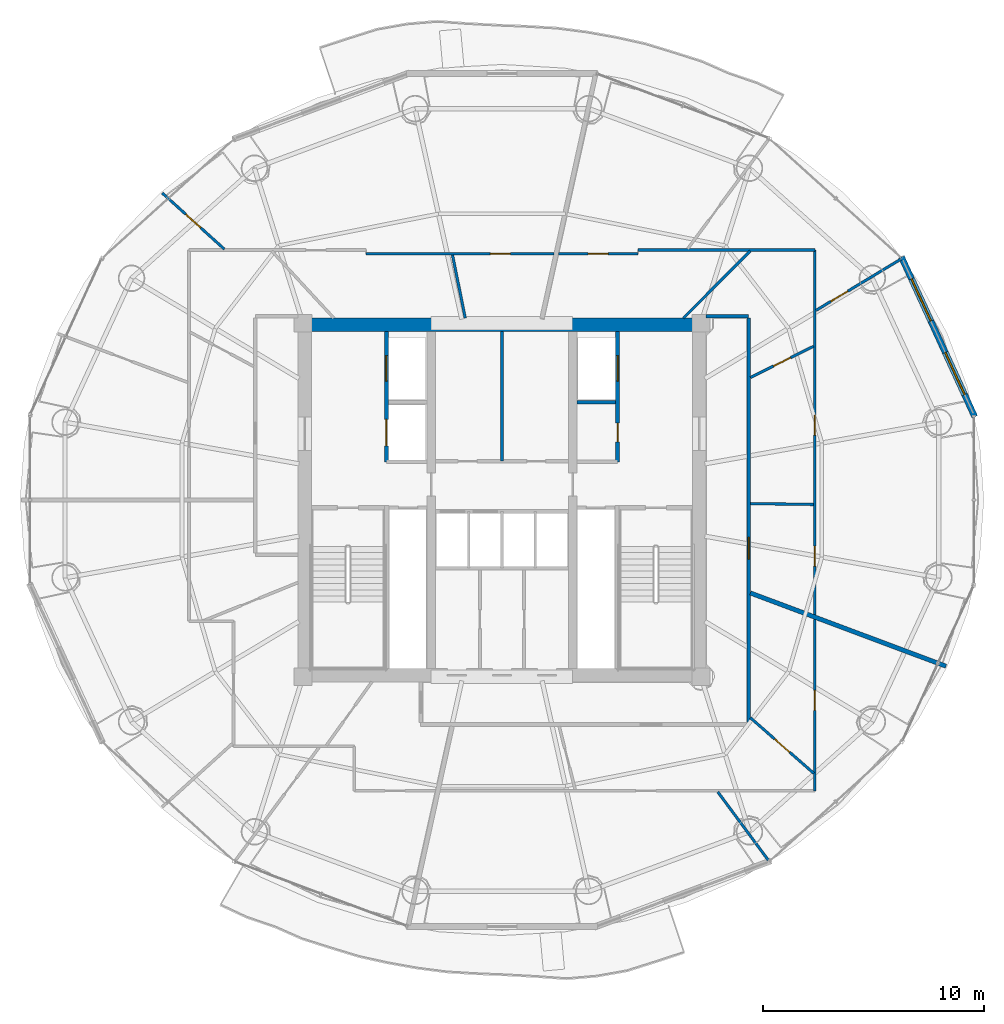
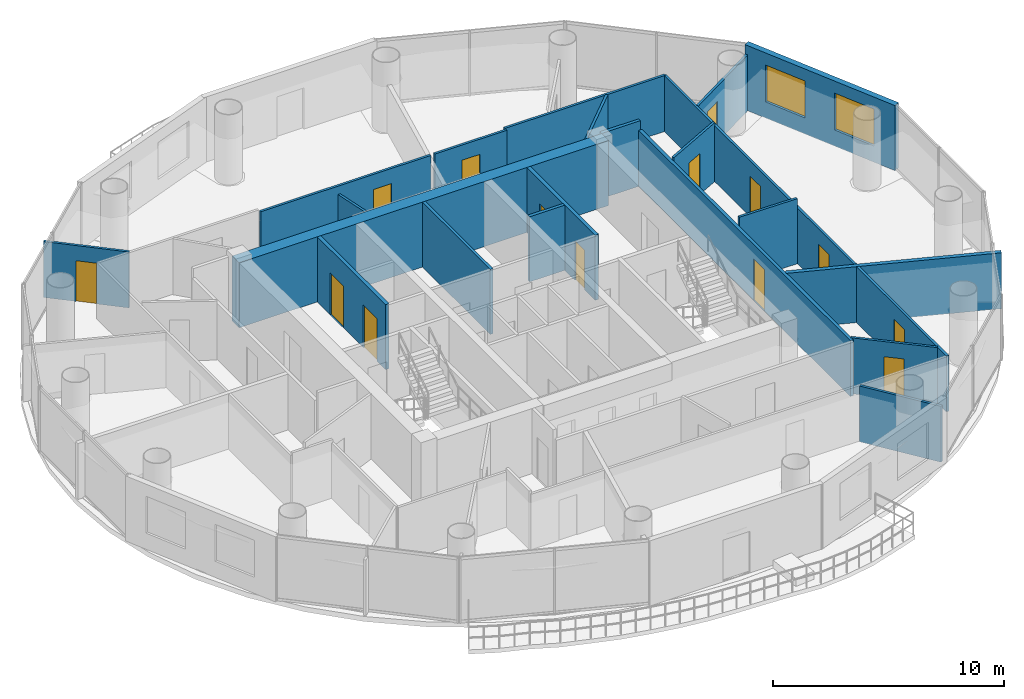
# One storey, part 22 of 26: 22 walls, 14 doors, 2 windows, 16 openings.
"""IFC4 building model written with IfcOpenShell, lengths in metres."""

from ifc_helpers import new_model, si_unit, direction, frame, frame_2d, origin, place, context, subcontext, project, spatial, rectangle, extrude, source, transform, mapped, material, layer, layer_set, type_object, element, fill, save


model = new_model("IFC4")

# Units and contexts
model_context = context("Model", 3, precision=1e-05, world=origin(), true_north=direction((-0.2419218956, 0.970295726276)))
body_context = subcontext(model_context, "Body", "Model", "MODEL_VIEW")
ifc_project = project(units=[si_unit("LENGTHUNIT", "METRE"), si_unit("AREAUNIT", "SQUARE_METRE"), si_unit("VOLUMEUNIT", "CUBIC_METRE"), si_unit("PLANEANGLEUNIT", "RADIAN"), si_unit("MASSUNIT", "GRAM", prefix="KILO")], contexts=[model_context])

# Site, building, storey
site_placement = place(None, origin())
site = spatial("IfcSite", under=ifc_project, at=site_placement, CompositionType="ELEMENT")
building_placement = place(site_placement, origin())
building = spatial("IfcBuilding", under=site, at=building_placement, Name="Cobrevalo Terracotta Tower", CompositionType="ELEMENT")
storey_placement = place(building_placement, frame((0.0, 0.0, 235.60009765625)))
storey = spatial("IfcBuildingStorey", under=building, at=storey_placement, Name="L62", CompositionType="ELEMENT", Elevation=235.60009765625)

# Walls
ifc_material_1 = material(Name="Concrete C55", Category="concrete")
ifc_layer_1 = layer(ifc_material_1, 0.60009765625)
ifc_layer_set_1 = layer_set([ifc_layer_1], Name="Concrete C55")
wall_type_1 = type_object("IfcWallType", Name="Core shear wall 600 mm Concrete C55", PredefinedType="SHEAR", material=ifc_layer_set_1)
wall_1_placement = place(storey_placement, frame((28.77490234375, 34.72509765625, 0.0), z_axis=(0.0, 0.0, 1.0), x_axis=(1.0, 0.0, 0.0)))
element("IfcWall", 1, at=wall_1_placement, inside=storey, type_object=wall_type_1, Name="L62 north core shear wall", PredefinedType="SHEAR", context=body_context, shape_type="SweptSolid", body=[
    extrude(rectangle(XDim=18.4501953125, YDim=0.60009765625, at=frame_2d((9.22509765625, 0.0))), origin(), (0.0, 0.0, 1.0), 3.434814453125),
])
ifc_material_2 = material(Name="Gypsum board on steel stud", Category="steel")
ifc_layer_2 = layer(ifc_material_2, 0.159912109375)
ifc_layer_set_2 = layer_set([ifc_layer_2], Name="Gypsum board on steel stud")
wall_type_2 = type_object("IfcWallType", Name="Fire-rated corridor acoustic partition wall 160 mm", PredefinedType="PARTITIONING", material=ifc_layer_set_2)
wall_2_placement = place(storey_placement, frame((41.389892578125, 31.219970703125, 0.0), z_axis=(0.0, 0.0, 1.0), x_axis=(1.0, 0.0, 0.0)))
element("IfcWall", 2, at=wall_2_placement, inside=storey, type_object=wall_type_2, Name="L62 interior partition IW-L62-FF2-M", PredefinedType="PARTITIONING", context=body_context, shape_type="SweptSolid", body=[
    extrude(rectangle(XDim=1.75, YDim=0.159912109375, at=frame_2d((0.875, 0.0))), origin(), (0.0, 0.0, 1.0), 3.434814453125),
])

# Wall, opening, door
wall_3_placement = place(storey_placement, frame((49.155029296875, 16.72509765625, 0.0), z_axis=(0.0, 0.0, 1.0), x_axis=(0.0, 1.0, 0.0)))
wall_3 = element("IfcWall", 3, at=wall_3_placement, inside=storey, type_object=wall_type_2, Name="L62 interior partition IW-L62-COR-E", PredefinedType="PARTITIONING", context=body_context, shape_type="SweptSolid", body=[
    extrude(rectangle(XDim=18.2998046875, YDim=0.159912109375, at=frame_2d((9.14990234375, 0.0))), origin(), (0.0, 0.0, 1.0), 2.950927734375),
])
opening_1_placement = place(wall_3_placement, frame((7.4013671875, 0.0, 0.0)))
opening_1 = element("IfcOpeningElement", 4, at=opening_1_placement, cuts=wall_3, Name="Opening ID-05", PredefinedType="OPENING", context=body_context, shape_type="SweptSolid", body=[
    extrude(rectangle(XDim=0.97998046875, YDim=2.199951171875, at=frame_2d((0.489990234375, 1.10009765625))), frame((0.0, 0.08984375, 0.0), z_axis=(0.0, -1.0, 0.0), x_axis=(1.0, 0.0, 0.0)), (0.0, 0.0, 1.0), 0.179931640625),
])
ifc_material_3 = material(Name="Solid hardwood timber", Category="wood")
door_type_1 = type_object("IfcDoorType", Name="Residence entrance fire-rated acoustic timber door 980x2200 EI 60", OperationType="NOTDEFINED", PredefinedType="DOOR", material=ifc_material_3)
shared_shape_1 = source(origin(), body_context, "Body", "SweptSolid", [
    extrude(rectangle(XDim=0.97998046875, YDim=2.199951171875, at=frame_2d((0.489990234375, 1.10009765625))), frame((0.0, 0.02490234375, 0.0), z_axis=(0.0, -1.0, 0.0), x_axis=(1.0, 0.0, 0.0)), (0.0, 0.0, 1.0), 0.050048828125),
])
door_1_placement = place(opening_1_placement, frame((0.97998046875, 0.0, 0.0), z_axis=(0.0, 0.0, 1.0), x_axis=(-1.0, 0.0, 0.0)))
door_1 = element("IfcDoor", 5, at=door_1_placement, inside=storey, type_object=door_type_1, Name="Flat L62A fire-rated apartment entrance door", OperationType="SINGLE_SWING_RIGHT", OverallHeight=2.199951171875, OverallWidth=0.97998046875, PredefinedType="DOOR", context=body_context, shape_type="MappedRepresentation", body=[
    mapped(shared_shape_1, transform((0.0, 0.0, 0.0), scale=1.0)),
])
fill(opening_1, door_1)

# Wall
wall_4_placement = place(storey_placement, frame((47.22509765625, 35.10498046875, 0.0), z_axis=(0.0, 0.0, 1.0), x_axis=(1.0, 0.0, 0.0)))
element("IfcWall", 6, at=wall_4_placement, inside=storey, type_object=wall_type_2, Name="L62 interior partition IW-L62-COR-EN-CAP", PredefinedType="PARTITIONING", context=body_context, shape_type="SweptSolid", body=[
    extrude(rectangle(XDim=1.929931640625, YDim=0.159912109375, at=frame_2d((0.96484375, 0.0))), origin(), (0.0, 0.0, 1.0), 3.434814453125),
])

# Wall, openings, doors
ifc_layer_3 = layer(ifc_material_2, 0.179931640625)
ifc_layer_set_3 = layer_set([ifc_layer_3], Name="Gypsum board on steel stud")
wall_type_3 = type_object("IfcWallType", Name="Fire-rated shaft & lobby acoustic partition wall 180 mm", PredefinedType="PARTITIONING", material=ifc_layer_set_3)
wall_5_placement = place(storey_placement, frame((32.77001953125, 28.52001953125, 0.0), z_axis=(0.0, 0.0, 1.0), x_axis=(0.0, 1.0, 0.0)))
wall_5 = element("IfcWall", 7, at=wall_5_placement, inside=storey, type_object=wall_type_3, Name="L62 interior partition IW-L62-FF1-W", PredefinedType="PARTITIONING", context=body_context, shape_type="SweptSolid", body=[
    extrude(rectangle(XDim=5.905029296875, YDim=0.179931640625, at=frame_2d((2.95263671875, 0.0))), origin(), (0.0, 0.0, 1.0), 3.434814453125),
])
opening_2_placement = place(wall_5_placement, frame((3.655029296875, 0.0, 0.0)))
opening_2 = element("IfcOpeningElement", 8, at=opening_2_placement, cuts=wall_5, Name="Opening LD-02", PredefinedType="OPENING", context=body_context, shape_type="SweptSolid", body=[
    extrude(rectangle(XDim=1.14990234375, YDim=2.199951171875, at=frame_2d((0.574951171875, 1.10009765625))), frame((0.0, 0.10009765625, 0.0), z_axis=(0.0, -1.0, 0.0), x_axis=(1.0, 0.0, 0.0)), (0.0, 0.0, 1.0), 0.199951171875),
])
opening_3_placement = place(wall_5_placement, frame((0.72998046875, 0.0, 0.0)))
opening_3 = element("IfcOpeningElement", 9, at=opening_3_placement, cuts=wall_5, Name="Opening LD-03", PredefinedType="OPENING", context=body_context, shape_type="SweptSolid", body=[
    extrude(rectangle(XDim=1.199951171875, YDim=2.25, at=frame_2d((0.60009765625, 1.125))), frame((0.0, 0.10009765625, 0.0), z_axis=(0.0, -1.0, 0.0), x_axis=(1.0, 0.0, 0.0)), (0.0, 0.0, 1.0), 0.199951171875),
])
ifc_material_4 = material(Name="Brushed stainless steel", Category="steel")
door_type_2 = type_object("IfcDoorType", Name="Firefighting lift landing bi-parting sliding door 1150x2200 EI 120", OperationType="DOUBLE_DOOR_SLIDING", PredefinedType="DOOR", material=ifc_material_4)
shared_shape_2 = source(origin(), body_context, "Body", "SweptSolid", [
    extrude(rectangle(XDim=1.14990234375, YDim=2.199951171875, at=frame_2d((0.574951171875, 1.10009765625))), frame((0.0, 0.02490234375, 0.0), z_axis=(0.0, -1.0, 0.0), x_axis=(1.0, 0.0, 0.0)), (0.0, 0.0, 1.0), 0.050048828125),
])
door_2_placement = place(opening_2_placement, origin())
door_2 = element("IfcDoor", 10, at=door_2_placement, inside=storey, type_object=door_type_2, Name="L62 lift landing door FF-1", OperationType="DOUBLE_DOOR_SLIDING", OverallHeight=2.199951171875, OverallWidth=1.14990234375, PredefinedType="DOOR", context=body_context, shape_type="MappedRepresentation", body=[
    mapped(shared_shape_2, transform((0.0, 0.0, 0.0), scale=1.0)),
])
fill(opening_2, door_2)
door_type_3 = type_object("IfcDoorType", Name="Service lift landing bi-parting sliding door 1200x2250 EI 120", OperationType="DOUBLE_DOOR_SLIDING", PredefinedType="DOOR", material=ifc_material_4)
shared_shape_3 = source(origin(), body_context, "Body", "SweptSolid", [
    extrude(rectangle(XDim=1.199951171875, YDim=2.25, at=frame_2d((0.60009765625, 1.125))), frame((0.0, 0.02490234375, 0.0), z_axis=(0.0, -1.0, 0.0), x_axis=(1.0, 0.0, 0.0)), (0.0, 0.0, 1.0), 0.050048828125),
])
door_3_placement = place(opening_3_placement, origin())
door_3 = element("IfcDoor", 11, at=door_3_placement, inside=storey, type_object=door_type_3, Name="L62 lift landing door SV-1", OperationType="DOUBLE_DOOR_SLIDING", OverallHeight=2.25, OverallWidth=1.199951171875, PredefinedType="DOOR", context=body_context, shape_type="MappedRepresentation", body=[
    mapped(shared_shape_3, transform((0.0, 0.0, 0.0), scale=1.0)),
])
fill(opening_3, door_3)

wall_6_placement = place(storey_placement, frame((43.22998046875, 28.52001953125, 0.0), z_axis=(0.0, 0.0, 1.0), x_axis=(0.0, 1.0, 0.0)))
wall_6 = element("IfcWall", 12, at=wall_6_placement, inside=storey, type_object=wall_type_3, Name="L62 interior partition IW-L62-FF2-E", PredefinedType="PARTITIONING", context=body_context, shape_type="SweptSolid", body=[
    extrude(rectangle(XDim=5.905029296875, YDim=0.179931640625, at=frame_2d((2.95263671875, 0.0))), origin(), (0.0, 0.0, 1.0), 3.434814453125),
])
opening_4_placement = place(wall_6_placement, frame((0.905029296875, 0.0, 0.0)))
opening_4 = element("IfcOpeningElement", 13, at=opening_4_placement, cuts=wall_6, Name="Opening ID-22", PredefinedType="OPENING", context=body_context, shape_type="SweptSolid", body=[
    extrude(rectangle(XDim=0.85009765625, YDim=2.10009765625, at=frame_2d((0.425048828125, 1.050048828125))), frame((0.0, 0.10009765625, 0.0), z_axis=(0.0, -1.0, 0.0), x_axis=(1.0, 0.0, 0.0)), (0.0, 0.0, 1.0), 0.199951171875),
])
opening_5_placement = place(wall_6_placement, frame((3.655029296875, 0.0, 0.0)))
opening_5 = element("IfcOpeningElement", 14, at=opening_5_placement, cuts=wall_6, Name="Opening LD-02", PredefinedType="OPENING", context=body_context, shape_type="SweptSolid", body=[
    extrude(rectangle(XDim=1.14990234375, YDim=2.199951171875, at=frame_2d((0.574951171875, 1.10009765625))), frame((0.0, 0.10009765625, 0.0), z_axis=(0.0, -1.0, 0.0), x_axis=(1.0, 0.0, 0.0)), (0.0, 0.0, 1.0), 0.199951171875),
])
ifc_material_5 = material(Name="Powder-coated steel", Category="steel")
door_type_4 = type_object("IfcDoorType", Name="Riser shaft & meter closet fire access door 850x2100 EI 60", OperationType="NOTDEFINED", PredefinedType="DOOR", material=ifc_material_5)
shared_shape_4 = source(origin(), body_context, "Body", "SweptSolid", [
    extrude(rectangle(XDim=0.85009765625, YDim=2.10009765625, at=frame_2d((0.425048828125, 1.050048828125))), frame((0.0, 0.02490234375, 0.0), z_axis=(0.0, -1.0, 0.0), x_axis=(1.0, 0.0, 0.0)), (0.0, 0.0, 1.0), 0.050048828125),
])
door_4_placement = place(opening_4_placement, frame((0.85009765625, 0.0, 0.0), z_axis=(0.0, 0.0, 1.0), x_axis=(-1.0, 0.0, 0.0)))
door_4 = element("IfcDoor", 15, at=door_4_placement, inside=storey, type_object=door_type_4, Name="L62 housekeeping store door", OperationType="SINGLE_SWING_RIGHT", OverallHeight=2.10009765625, OverallWidth=0.85009765625, PredefinedType="DOOR", context=body_context, shape_type="MappedRepresentation", body=[
    mapped(shared_shape_4, transform((0.0, 0.0, 0.0), scale=1.0)),
])
fill(opening_4, door_4)
door_5_placement = place(opening_5_placement, origin())
door_5 = element("IfcDoor", 16, at=door_5_placement, inside=storey, type_object=door_type_2, Name="L62 lift landing door FF-2", OperationType="DOUBLE_DOOR_SLIDING", OverallHeight=2.199951171875, OverallWidth=1.14990234375, PredefinedType="DOOR", context=body_context, shape_type="MappedRepresentation", body=[
    mapped(shared_shape_2, transform((0.0, 0.0, 0.0), scale=1.0)),
])
fill(opening_5, door_5)

# Wall
ifc_material_6 = material(Name="Autoclaved aerated concrete block", Category="concrete")
ifc_layer_4 = layer(ifc_material_6, 0.199951171875)
ifc_layer_set_4 = layer_set([ifc_layer_4], Name="Autoclaved aerated concrete block")
wall_type_4 = type_object("IfcWallType", Name="Fire-rated stair, shaft & demising masonry wall 200 mm", PredefinedType="PARTITIONING", material=ifc_layer_set_4)
wall_7_placement = place(storey_placement, frame((49.23681640625, 22.593994140625, 0.0), z_axis=(0.0, 0.0, 1.0), x_axis=(0.936534016635, -0.350576718687, 0.0)))
element("IfcWall", 17, at=wall_7_placement, inside=storey, type_object=wall_type_4, Name="L62 interior partition IW-L62-DEM-1", PredefinedType="PARTITIONING", context=body_context, shape_type="SweptSolid", body=[
    extrude(rectangle(XDim=9.446044921875, YDim=0.199951171875, at=frame_2d((4.72314453125, 0.0))), origin(), (0.0, 0.0, 1.0), 2.950927734375),
])

# Wall, openings, windows
ifc_layer_5 = layer(ifc_material_6, 0.280029296875)
ifc_layer_set_5 = layer_set([ifc_layer_5], Name="Autoclaved aerated concrete block")
wall_type_5 = type_object("IfcWallType", Name="Insulated tower spandrel & pier wall 280 mm with terracotta rainscreen", PredefinedType="SOLIDWALL", material=ifc_layer_set_5)
wall_8_placement = place(storey_placement, frame((59.385009765625, 30.564697265625, 0.0), z_axis=(0.0, 0.0, 1.0), x_axis=(-0.416717018135, 0.909036262641, 0.0)))
wall_8 = element("IfcWall", 18, at=wall_8_placement, inside=storey, type_object=wall_type_5, Name="L62 terracotta rainscreen pier wall S01", PredefinedType="SOLIDWALL", context=body_context, shape_type="SweptSolid", body=[
    extrude(rectangle(XDim=7.960205078125, YDim=0.280029296875, at=frame_2d((3.97998046875, 0.0))), origin(), (0.0, 0.0, 1.0), 3.434814453125),
])
opening_6_placement = place(wall_8_placement, frame((1.099365234375, 0.0, 0.85009765625)))
opening_6 = element("IfcOpeningElement", 19, at=opening_6_placement, cuts=wall_8, Name="Opening WN-10", PredefinedType="OPENING", context=body_context, shape_type="SweptSolid", body=[
    extrude(rectangle(XDim=2.10009765625, YDim=1.949951171875, at=frame_2d((1.050048828125, 0.97509765625))), frame((0.0, 0.14990234375, 0.0), z_axis=(0.0, -1.0, 0.0), x_axis=(1.0, 0.0, 0.0)), (0.0, 0.0, 1.0), 0.300048828125),
])
opening_7_placement = place(wall_8_placement, frame((4.760986328125, 0.0, 0.85009765625)))
opening_7 = element("IfcOpeningElement", 20, at=opening_7_placement, cuts=wall_8, Name="Opening WN-10", PredefinedType="OPENING", context=body_context, shape_type="SweptSolid", body=[
    extrude(rectangle(XDim=2.10009765625, YDim=1.949951171875, at=frame_2d((1.050048828125, 0.97509765625))), frame((0.0, 0.14990234375, 0.0), z_axis=(0.0, -1.0, 0.0), x_axis=(1.0, 0.0, 0.0)), (0.0, 0.0, 1.0), 0.300048828125),
])
ifc_material_7 = material(Name="Solar-control low-E double glazing", Category="glass")
window_type = type_object("IfcWindowType", Name="Wide panoramic low-E aluminium window 2100x1950", PartitioningType="SINGLE_PANEL", PredefinedType="WINDOW", material=ifc_material_7)
shared_shape_5 = source(origin(), body_context, "Body", "SweptSolid", [
    extrude(rectangle(XDim=2.10009765625, YDim=1.949951171875, at=frame_2d((1.050048828125, 0.97509765625))), frame((0.0, 0.030029296875, 0.0), z_axis=(0.0, -1.0, 0.0), x_axis=(1.0, 0.0, 0.0)), (0.0, 0.0, 1.0), 0.06005859375),
])
window_1_placement = place(opening_6_placement, origin())
window_1 = element("IfcWindow", 21, at=window_1_placement, inside=storey, type_object=window_type, Name="L62 suite window S01A", OverallHeight=1.949951171875, OverallWidth=2.10009765625, PartitioningType="SINGLE_PANEL", PredefinedType="WINDOW", context=body_context, shape_type="MappedRepresentation", body=[
    mapped(shared_shape_5, transform((0.0, 0.0, 0.0), scale=1.0)),
])
fill(opening_6, window_1)
window_2_placement = place(opening_7_placement, origin())
window_2 = element("IfcWindow", 22, at=window_2_placement, inside=storey, type_object=window_type, Name="L62 suite window S01B", OverallHeight=1.949951171875, OverallWidth=2.10009765625, PartitioningType="SINGLE_PANEL", PredefinedType="WINDOW", context=body_context, shape_type="MappedRepresentation", body=[
    mapped(shared_shape_5, transform((0.0, 0.0, 0.0), scale=1.0)),
])
fill(opening_7, window_2)

# Wall
ifc_layer_6 = layer(ifc_material_6, 0.139892578125)
ifc_layer_set_6 = layer_set([ifc_layer_6], Name="Autoclaved aerated concrete block")
wall_type_6 = type_object("IfcWallType", Name="Moisture-resistant wet-room & core service partition 140 mm", PredefinedType="PARTITIONING", material=ifc_layer_set_6)
wall_9_placement = place(storey_placement, frame((38.0, 28.56005859375, 0.0), z_axis=(0.0, 0.0, 1.0), x_axis=(0.0, 1.0, 0.0)))
element("IfcWall", 23, at=wall_9_placement, inside=storey, type_object=wall_type_6, Name="L62 interior partition IW-L62-KVN-1", PredefinedType="PARTITIONING", context=body_context, shape_type="SweptSolid", body=[
    extrude(rectangle(XDim=5.864990234375, YDim=0.139892578125, at=frame_2d((2.9326171875, 0.0))), origin(), (0.0, 0.0, 1.0), 3.434814453125),
])

# Wall, opening, door
ifc_layer_7 = layer(ifc_material_2, 0.1201171875)
ifc_layer_set_7 = layer_set([ifc_layer_7], Name="Gypsum board on steel stud")
wall_type_7 = type_object("IfcWallType", Name="Residential internal acoustic stud partition 120 mm", PredefinedType="PARTITIONING", material=ifc_layer_set_7)
wall_10_placement = place(storey_placement, frame((40.55517578125, 37.945068359375, 0.0), z_axis=(0.0, 0.0, 1.0), x_axis=(1.0, 0.0, 0.0)))
wall_10 = element("IfcWall", 24, at=wall_10_placement, inside=storey, type_object=wall_type_7, Name="L62 interior partition IW-L62-U1-RING0_0", PredefinedType="PARTITIONING", context=body_context, shape_type="SweptSolid", body=[
    extrude(rectangle(XDim=3.58984375, YDim=0.1201171875, at=frame_2d((1.794921875, 0.0))), origin(), (0.0, 0.0, 1.0), 2.950927734375),
])
opening_8_placement = place(wall_10_placement, frame((1.344970703125, 0.0, 0.0)))
opening_8 = element("IfcOpeningElement", 25, at=opening_8_placement, cuts=wall_10, Name="Opening ID-12", PredefinedType="OPENING", context=body_context, shape_type="SweptSolid", body=[
    extrude(rectangle(XDim=0.89990234375, YDim=2.14990234375, at=frame_2d((0.449951171875, 1.074951171875))), frame((0.0, 0.070068359375, 0.0), z_axis=(0.0, -1.0, 0.0), x_axis=(1.0, 0.0, 0.0)), (0.0, 0.0, 1.0), 0.14013671875),
])
ifc_material_8 = material(Name="Engineered timber", Category="wood")
door_type_5 = type_object("IfcDoorType", Name="Internal residence & suite timber door 900x2150", OperationType="NOTDEFINED", PredefinedType="DOOR", material=ifc_material_8)
shared_shape_6 = source(origin(), body_context, "Body", "SweptSolid", [
    extrude(rectangle(XDim=0.89990234375, YDim=2.14990234375, at=frame_2d((0.449951171875, 1.074951171875))), frame((0.0, 0.02490234375, 0.0), z_axis=(0.0, -1.0, 0.0), x_axis=(1.0, 0.0, 0.0)), (0.0, 0.0, 1.0), 0.050048828125),
])
door_6_placement = place(opening_8_placement, frame((0.89990234375, 0.0, 0.0), z_axis=(0.0, 0.0, 1.0), x_axis=(-1.0, 0.0, 0.0)))
door_6 = element("IfcDoor", 26, at=door_6_placement, inside=storey, type_object=door_type_5, Name="Flat L62A Reception Hallway internal door", OperationType="SINGLE_SWING_RIGHT", OverallHeight=2.14990234375, OverallWidth=0.89990234375, PredefinedType="DOOR", context=body_context, shape_type="MappedRepresentation", body=[
    mapped(shared_shape_6, transform((0.0, 0.0, 0.0), scale=1.0)),
])
fill(opening_8, door_6)

# Wall
wall_11_placement = place(storey_placement, frame((44.14501953125, 38.10498046875, 0.0), z_axis=(0.0, 0.0, 1.0), x_axis=(1.0, 0.0, 0.0)))
element("IfcWall", 27, at=wall_11_placement, inside=storey, type_object=wall_type_7, Name="L62 interior partition IW-L62-U1-RING2_0", PredefinedType="PARTITIONING", context=body_context, shape_type="SweptSolid", body=[
    extrude(rectangle(XDim=8.010009765625, YDim=0.1201171875, at=frame_2d((4.0048828125, 0.0))), origin(), (0.0, 0.0, 1.0), 2.950927734375),
])

# Wall, openings, doors
wall_12_placement = place(storey_placement, frame((52.155029296875, 38.10498046875, 0.0), z_axis=(0.0, 0.0, 1.0), x_axis=(0.0, -1.0, 0.0)))
wall_12 = element("IfcWall", 28, at=wall_12_placement, inside=storey, type_object=wall_type_7, Name="L62 interior partition IW-L62-U1-RING3_0", PredefinedType="PARTITIONING", context=body_context, shape_type="SweptSolid", body=[
    extrude(rectangle(XDim=16.50146484375, YDim=0.1201171875, at=frame_2d((8.250732421875, 0.0))), origin(), (0.0, 0.0, 1.0), 2.950927734375),
])
opening_9_placement = place(wall_12_placement, frame((13.394775390625, 0.0, 0.0)))
opening_9 = element("IfcOpeningElement", 29, at=opening_9_placement, cuts=wall_12, Name="Opening ID-12", PredefinedType="OPENING", context=body_context, shape_type="SweptSolid", body=[
    extrude(rectangle(XDim=0.89990234375, YDim=2.14990234375, at=frame_2d((0.449951171875, 1.074951171875))), frame((0.0, 0.070068359375, 0.0), z_axis=(0.0, -1.0, 0.0), x_axis=(1.0, 0.0, 0.0)), (0.0, 0.0, 1.0), 0.14013671875),
])
opening_10_placement = place(wall_12_placement, frame((7.466552734375, 0.0, 0.0)))
opening_10 = element("IfcOpeningElement", 30, at=opening_10_placement, cuts=wall_12, Name="Opening ID-12", PredefinedType="OPENING", context=body_context, shape_type="SweptSolid", body=[
    extrude(rectangle(XDim=0.89990234375, YDim=2.14990234375, at=frame_2d((0.449951171875, 1.074951171875))), frame((0.0, 0.070068359375, 0.0), z_axis=(0.0, -1.0, 0.0), x_axis=(1.0, 0.0, 0.0)), (0.0, 0.0, 1.0), 0.14013671875),
])
door_7_placement = place(opening_9_placement, origin())
door_7 = element("IfcDoor", 31, at=door_7_placement, inside=storey, type_object=door_type_5, Name="Flat L62A Penthouse Living and Dining Room internal door", OperationType="SINGLE_SWING_LEFT", OverallHeight=2.14990234375, OverallWidth=0.89990234375, PredefinedType="DOOR", context=body_context, shape_type="MappedRepresentation", body=[
    mapped(shared_shape_6, transform((0.0, 0.0, 0.0), scale=1.0)),
])
fill(opening_9, door_7)
door_8_placement = place(opening_10_placement, frame((0.89990234375, 0.0, 0.0), z_axis=(0.0, 0.0, 1.0), x_axis=(-1.0, 0.0, 0.0)))
door_8 = element("IfcDoor", 32, at=door_8_placement, inside=storey, type_object=door_type_5, Name="Flat L62A Kitchen internal door", OperationType="SINGLE_SWING_RIGHT", OverallHeight=2.14990234375, OverallWidth=0.89990234375, PredefinedType="DOOR", context=body_context, shape_type="MappedRepresentation", body=[
    mapped(shared_shape_6, transform((0.0, 0.0, 0.0), scale=1.0)),
])
fill(opening_10, door_8)

# Wall, opening, door
wall_13_placement = place(storey_placement, frame((52.2080078125, 35.37890625, 0.0), z_axis=(0.0, 0.0, 1.0), x_axis=(0.856039372964, 0.516910622774, 0.0)))
wall_13 = element("IfcWall", 33, at=wall_13_placement, inside=storey, type_object=wall_type_7, Name="L62 interior partition IW-L62-U1-ORAD1", PredefinedType="PARTITIONING", context=body_context, shape_type="SweptSolid", body=[
    extrude(rectangle(XDim=4.471435546875, YDim=0.1201171875, at=frame_2d((2.23583984375, 0.0))), origin(), (0.0, 0.0, 1.0), 2.950927734375),
])
opening_11_placement = place(wall_13_placement, frame((0.778564453125, 0.0, 0.0)))
opening_11 = element("IfcOpeningElement", 34, at=opening_11_placement, cuts=wall_13, Name="Opening ID-12", PredefinedType="OPENING", context=body_context, shape_type="SweptSolid", body=[
    extrude(rectangle(XDim=0.89990234375, YDim=2.14990234375, at=frame_2d((0.449951171875, 1.074951171875))), frame((0.0, 0.070068359375, 0.0), z_axis=(0.0, -1.0, 0.0), x_axis=(1.0, 0.0, 0.0)), (0.0, 0.0, 1.0), 0.14013671875),
])
door_9_placement = place(opening_11_placement, origin())
door_9 = element("IfcDoor", 35, at=door_9_placement, inside=storey, type_object=door_type_5, Name="Flat L62A Master Bedroom internal door", OperationType="SINGLE_SWING_LEFT", OverallHeight=2.14990234375, OverallWidth=0.89990234375, PredefinedType="DOOR", context=body_context, shape_type="MappedRepresentation", body=[
    mapped(shared_shape_6, transform((0.0, 0.0, 0.0), scale=1.0)),
])
fill(opening_11, door_9)

# Wall
wall_14_placement = place(storey_placement, frame((49.237060546875, 26.638671875, 0.0), z_axis=(0.0, 0.0, 1.0), x_axis=(0.999896890624, -0.014359948506, 0.0)))
element("IfcWall", 36, at=wall_14_placement, inside=storey, type_object=wall_type_7, Name="L62 interior partition IW-L62-U1-IRAD1", PredefinedType="PARTITIONING", context=body_context, shape_type="SweptSolid", body=[
    extrude(rectangle(XDim=2.856201171875, YDim=0.1201171875, at=frame_2d((1.42822265625, 0.0))), origin(), (0.0, 0.0, 1.0), 3.434814453125),
])

# Wall, opening, door
wall_15_placement = place(storey_placement, frame((49.23681640625, 32.34130859375, 0.0), z_axis=(0.0, 0.0, 1.0), x_axis=(0.896876689717, 0.442280684004, 0.0)))
wall_15 = element("IfcWall", 37, at=wall_15_placement, inside=storey, type_object=wall_type_7, Name="L62 interior partition IW-L62-U1-IRAD2", PredefinedType="PARTITIONING", context=body_context, shape_type="SweptSolid", body=[
    extrude(rectangle(XDim=3.191650390625, YDim=0.1201171875, at=frame_2d((1.595703125, 0.0))), origin(), (0.0, 0.0, 1.0), 3.10986328125),
])
opening_12_placement = place(wall_15_placement, frame((1.166015625, 0.0, 0.0)))
opening_12 = element("IfcOpeningElement", 38, at=opening_12_placement, cuts=wall_15, Name="Opening ID-19", PredefinedType="OPENING", context=body_context, shape_type="SweptSolid", body=[
    extrude(rectangle(XDim=0.860107421875, YDim=2.14990234375, at=frame_2d((0.43017578125, 1.074951171875))), frame((0.0, 0.070068359375, 0.0), z_axis=(0.0, -1.0, 0.0), x_axis=(1.0, 0.0, 0.0)), (0.0, 0.0, 1.0), 0.14013671875),
])
ifc_material_9 = material(Name="Moisture-sealed timber", Category="wood")
door_type_6 = type_object("IfcDoorType", Name="Suite bathroom internal timber door 860x2150", OperationType="NOTDEFINED", PredefinedType="DOOR", material=ifc_material_9)
shared_shape_7 = source(origin(), body_context, "Body", "SweptSolid", [
    extrude(rectangle(XDim=0.860107421875, YDim=2.14990234375, at=frame_2d((0.43017578125, 1.074951171875))), frame((0.0, 0.02490234375, 0.0), z_axis=(0.0, -1.0, 0.0), x_axis=(1.0, 0.0, 0.0)), (0.0, 0.0, 1.0), 0.050048828125),
])
door_10_placement = place(opening_12_placement, origin())
door_10 = element("IfcDoor", 39, at=door_10_placement, inside=storey, type_object=door_type_6, Name="Flat L62A Primary Bathroom internal door", OperationType="SINGLE_SWING_RIGHT", OverallHeight=2.14990234375, OverallWidth=0.860107421875, PredefinedType="DOOR", context=body_context, shape_type="MappedRepresentation", body=[
    mapped(shared_shape_7, transform((0.0, 0.0, 0.0), scale=1.0)),
])
fill(opening_12, door_10)

# Wall
wall_16_placement = place(storey_placement, frame((46.203125, 35.0263671875, 0.0), z_axis=(0.0, 0.0, 1.0), x_axis=(0.706080585752, 0.708131489502, 0.0)))
element("IfcWall", 40, at=wall_16_placement, inside=storey, type_object=wall_type_7, Name="L62 interior partition IW-L62-U1-IRAD3", PredefinedType="PARTITIONING", context=body_context, shape_type="SweptSolid", body=[
    extrude(rectangle(XDim=4.285400390625, YDim=0.1201171875, at=frame_2d((2.142578125, 0.0))), origin(), (0.0, 0.0, 1.0), 2.950927734375),
])

# Wall, opening, door
wall_17_placement = place(storey_placement, frame((31.85498046875, 37.945068359375, 0.0), z_axis=(0.0, 0.0, 1.0), x_axis=(1.0, 0.0, 0.0)))
wall_17 = element("IfcWall", 41, at=wall_17_placement, inside=storey, type_object=wall_type_7, Name="L62 interior partition IW-L62-U2-RING3_0", PredefinedType="PARTITIONING", context=body_context, shape_type="SweptSolid", body=[
    extrude(rectangle(XDim=8.496337890625, YDim=0.1201171875, at=frame_2d((4.248046875, 0.0))), origin(), (0.0, 0.0, 1.0), 2.950927734375),
])
opening_13_placement = place(wall_17_placement, frame((5.62548828125, 0.0, 0.0)))
opening_13 = element("IfcOpeningElement", 42, at=opening_13_placement, cuts=wall_17, Name="Opening ID-12", PredefinedType="OPENING", context=body_context, shape_type="SweptSolid", body=[
    extrude(rectangle(XDim=0.89990234375, YDim=2.14990234375, at=frame_2d((0.449951171875, 1.074951171875))), frame((0.0, 0.070068359375, 0.0), z_axis=(0.0, -1.0, 0.0), x_axis=(1.0, 0.0, 0.0)), (0.0, 0.0, 1.0), 0.14013671875),
])
door_11_placement = place(opening_13_placement, frame((0.89990234375, 0.0, 0.0), z_axis=(0.0, 0.0, 1.0), x_axis=(-1.0, 0.0, 0.0)))
door_11 = element("IfcDoor", 43, at=door_11_placement, inside=storey, type_object=door_type_5, Name="Flat L62B Home Office Study internal door", OperationType="SINGLE_SWING_LEFT", OverallHeight=2.14990234375, OverallWidth=0.89990234375, PredefinedType="DOOR", context=body_context, shape_type="MappedRepresentation", body=[
    mapped(shared_shape_6, transform((0.0, 0.0, 0.0), scale=1.0)),
])
fill(opening_13, door_11)

wall_18_placement = place(storey_placement, frame((25.44384765625, 38.146484375, 0.0), z_axis=(0.0, 0.0, 1.0), x_axis=(-0.741941434687, 0.670464695189, 0.0)))
wall_18 = element("IfcWall", 44, at=wall_18_placement, inside=storey, type_object=wall_type_7, Name="L62 interior partition IW-L62-U2-ORAD1", PredefinedType="PARTITIONING", context=body_context, shape_type="SweptSolid", body=[
    extrude(rectangle(XDim=3.79150390625, YDim=0.1201171875, at=frame_2d((1.895751953125, 0.0))), origin(), (0.0, 0.0, 1.0), 2.950927734375),
])
opening_14_placement = place(wall_18_placement, frame((1.44580078125, 0.0, 0.0)))
opening_14 = element("IfcOpeningElement", 45, at=opening_14_placement, cuts=wall_18, Name="Opening ID-12", PredefinedType="OPENING", context=body_context, shape_type="SweptSolid", body=[
    extrude(rectangle(XDim=0.89990234375, YDim=2.14990234375, at=frame_2d((0.449951171875, 1.074951171875))), frame((0.0, 0.070068359375, 0.0), z_axis=(0.0, -1.0, 0.0), x_axis=(1.0, 0.0, 0.0)), (0.0, 0.0, 1.0), 0.14013671875),
])
door_12_placement = place(opening_14_placement, frame((0.89990234375, 0.0, 0.0), z_axis=(0.0, 0.0, 1.0), x_axis=(-1.0, 0.0, 0.0)))
door_12 = element("IfcDoor", 46, at=door_12_placement, inside=storey, type_object=door_type_5, Name="Flat L62B Penthouse Living and Dining Room internal door", OperationType="SINGLE_SWING_LEFT", OverallHeight=2.14990234375, OverallWidth=0.89990234375, PredefinedType="DOOR", context=body_context, shape_type="MappedRepresentation", body=[
    mapped(shared_shape_6, transform((0.0, 0.0, 0.0), scale=1.0)),
])
fill(opening_14, door_12)

# Wall
wall_19_placement = place(storey_placement, frame((36.3388671875, 35.02685546875, 0.0), z_axis=(0.0, 0.0, 1.0), x_axis=(-0.197903570547, 0.980221493727, 0.0)))
element("IfcWall", 47, at=wall_19_placement, inside=storey, type_object=wall_type_7, Name="L62 interior partition IW-L62-U2-IRAD1", PredefinedType="PARTITIONING", context=body_context, shape_type="SweptSolid", body=[
    extrude(rectangle(XDim=2.9150390625, YDim=0.1201171875, at=frame_2d((1.45751953125, 0.0))), origin(), (0.0, 0.0, 1.0), 2.52001953125),
])

# Wall, opening, door
wall_20_placement = place(storey_placement, frame((52.155029296875, 21.399658203125, 0.0), z_axis=(0.0, 0.0, 1.0), x_axis=(0.0, -1.0, 0.0)))
wall_20 = element("IfcWall", 48, at=wall_20_placement, inside=storey, type_object=wall_type_7, Name="L62 interior partition IW-L62-U4-RING0_0", PredefinedType="PARTITIONING", context=body_context, shape_type="SweptSolid", body=[
    extrude(rectangle(XDim=7.754638671875, YDim=0.1201171875, at=frame_2d((3.87744140625, 0.0))), origin(), (0.0, 0.0, 1.0), 2.950927734375),
])
opening_15_placement = place(wall_20_placement, frame((3.2138671875, 0.0, 0.0)))
opening_15 = element("IfcOpeningElement", 49, at=opening_15_placement, cuts=wall_20, Name="Opening ID-12", PredefinedType="OPENING", context=body_context, shape_type="SweptSolid", body=[
    extrude(rectangle(XDim=0.89990234375, YDim=2.14990234375, at=frame_2d((0.449951171875, 1.074951171875))), frame((0.0, 0.070068359375, 0.0), z_axis=(0.0, -1.0, 0.0), x_axis=(1.0, 0.0, 0.0)), (0.0, 0.0, 1.0), 0.14013671875),
])
door_13_placement = place(opening_15_placement, origin())
door_13 = element("IfcDoor", 50, at=door_13_placement, inside=storey, type_object=door_type_5, Name="Flat L62D Master Bedroom internal door", OperationType="SINGLE_SWING_RIGHT", OverallHeight=2.14990234375, OverallWidth=0.89990234375, PredefinedType="DOOR", context=body_context, shape_type="MappedRepresentation", body=[
    mapped(shared_shape_6, transform((0.0, 0.0, 0.0), scale=1.0)),
])
fill(opening_15, door_13)

# Wall
wall_21_placement = place(storey_placement, frame((47.763671875, 13.59521484375, 0.0), z_axis=(0.0, 0.0, 1.0), x_axis=(0.594530312724, -0.804073197696, 0.0)))
element("IfcWall", 51, at=wall_21_placement, inside=storey, type_object=wall_type_7, Name="L62 interior partition IW-L62-U4-ORAD1", PredefinedType="PARTITIONING", context=body_context, shape_type="SweptSolid", body=[
    extrude(rectangle(XDim=3.844970703125, YDim=0.1201171875, at=frame_2d((1.92236328125, 0.0))), origin(), (0.0, 0.0, 1.0), 2.950927734375),
])

# Wall, opening, door
wall_22_placement = place(storey_placement, frame((49.236572265625, 16.9501953125, 0.0), z_axis=(0.0, 0.0, 1.0), x_axis=(0.751994252696, -0.659169662463, 0.0)))
wall_22 = element("IfcWall", 52, at=wall_22_placement, inside=storey, type_object=wall_type_7, Name="L62 interior partition IW-L62-U4-IRAD2", PredefinedType="PARTITIONING", context=body_context, shape_type="SweptSolid", body=[
    extrude(rectangle(XDim=3.81884765625, YDim=0.1201171875, at=frame_2d((1.909423828125, 0.0))), origin(), (0.0, 0.0, 1.0), 2.950927734375),
])
opening_16_placement = place(wall_22_placement, frame((1.45947265625, 0.0, 0.0)))
opening_16 = element("IfcOpeningElement", 53, at=opening_16_placement, cuts=wall_22, Name="Opening ID-12", PredefinedType="OPENING", context=body_context, shape_type="SweptSolid", body=[
    extrude(rectangle(XDim=0.89990234375, YDim=2.14990234375, at=frame_2d((0.449951171875, 1.074951171875))), frame((0.0, 0.070068359375, 0.0), z_axis=(0.0, -1.0, 0.0), x_axis=(1.0, 0.0, 0.0)), (0.0, 0.0, 1.0), 0.14013671875),
])
door_14_placement = place(opening_16_placement, origin())
door_14 = element("IfcDoor", 54, at=door_14_placement, inside=storey, type_object=door_type_5, Name="Flat L62D Kitchen internal door", OperationType="SINGLE_SWING_LEFT", OverallHeight=2.14990234375, OverallWidth=0.89990234375, PredefinedType="DOOR", context=body_context, shape_type="MappedRepresentation", body=[
    mapped(shared_shape_6, transform((0.0, 0.0, 0.0), scale=1.0)),
])
fill(opening_16, door_14)

save(model, "model.ifc")
